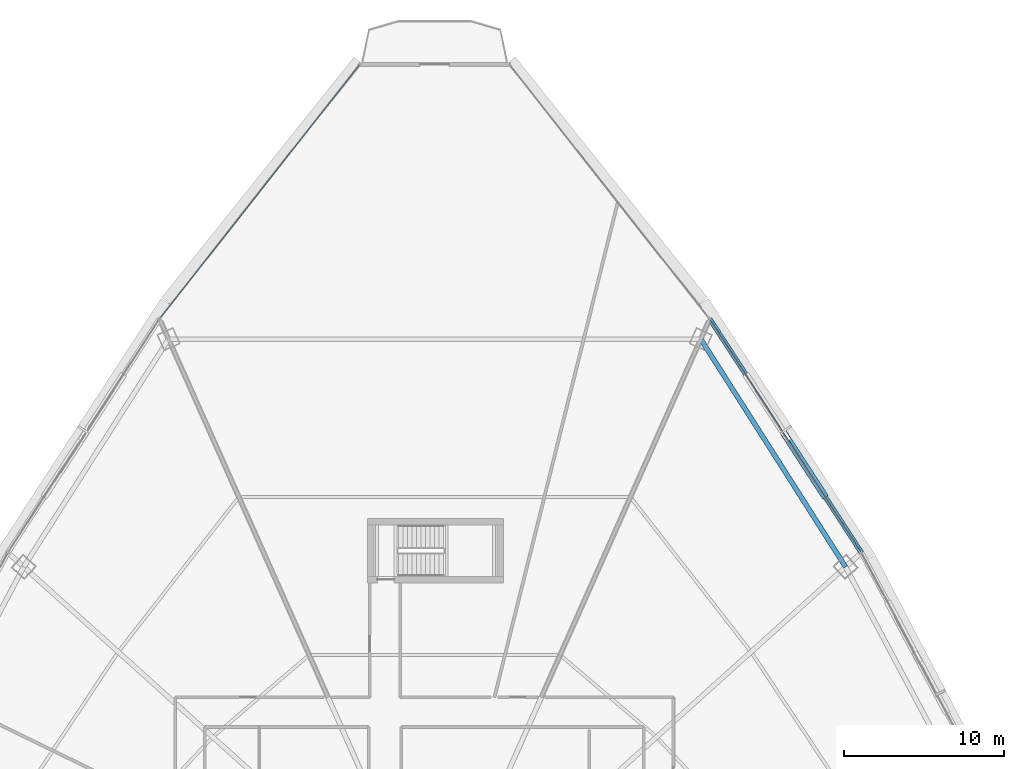
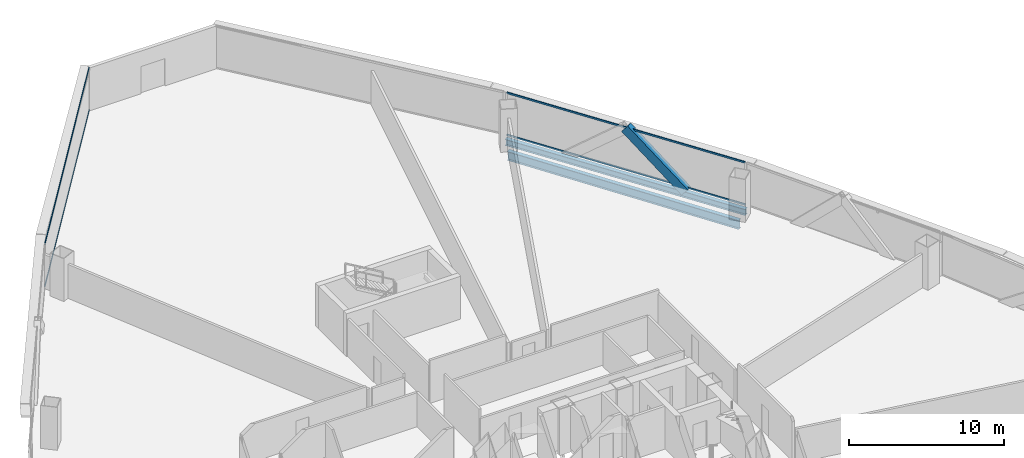
# One storey, part 25 of 37: 5 members, 2 beams, 2 elements without a shape of their own.
"""IFC4 building model written with IfcOpenShell, lengths in metres."""

from ifc_helpers import new_model, si_unit, direction, frame, origin, origin_2d, place, context, subcontext, project, spatial, hollow_rectangle, i_section, extrude, source, transform, mapped, material, layer, layer_set, material_profile, profile_set, type_object, element, aggregate, save


model = new_model("IFC4")

# Units and contexts
model_context = context("Model", 3, precision=1e-05, world=origin(), true_north=direction((0.0, 1.0)))
body_context = subcontext(model_context, "Body", "Model", "MODEL_VIEW")
ifc_project = project(units=[si_unit("LENGTHUNIT", "METRE"), si_unit("AREAUNIT", "SQUARE_METRE"), si_unit("VOLUMEUNIT", "CUBIC_METRE"), si_unit("PLANEANGLEUNIT", "RADIAN"), si_unit("MASSUNIT", "GRAM", prefix="KILO"), si_unit("THERMODYNAMICTEMPERATUREUNIT", "KELVIN"), si_unit("POWERUNIT", "WATT")], contexts=[model_context])

# Site, building, storey
site_placement = place(None, origin())
site = spatial("IfcSite", under=ifc_project, at=site_placement, CompositionType="ELEMENT")
building_placement = place(site_placement, origin())
building = spatial("IfcBuilding", under=site, at=building_placement, Name="Yunzhuo Pagoda Commons", CompositionType="ELEMENT")
storey_placement = place(building_placement, frame((0.0, 0.0, 52.179931640625)))
storey = spatial("IfcBuildingStorey", under=building, at=storey_placement, Name="L13", CompositionType="ELEMENT", Elevation=52.179931640625)

# Beams
ifc_material_1 = material(Name="Structural steel Q355B", Category="steel")
ifc_material_profile_1 = material_profile(ifc_material_1, i_section(OverallWidth=0.300048828125, OverallDepth=0.699951171875, WebThickness=0.012939453125, FlangeThickness=0.02392578125, at=origin_2d()), Name="Structural steel Q355B")
ifc_profile_set_1 = profile_set([ifc_material_profile_1], Name="Structural steel Q355B")
beam_type_1 = type_object("IfcBeamType", Name="B-RG1 Beam HN 700x300x13x24", PredefinedType="BEAM", material=ifc_profile_set_1)
shared_shape_1 = source(origin(), body_context, "Body", "SweptSolid", [
    extrude(i_section(OverallWidth=0.300048828125, OverallDepth=0.699951171875, WebThickness=0.012939453125, FlangeThickness=0.02392578125, at=origin_2d()), origin(), (0.0, 0.0, 1.0), 16.843994140625),
])
beam_1_placement = place(storey_placement, frame((73.648681640625, 56.79443359375, -0.60986328125), z_axis=(-0.536558458992, 0.843863152462, 0.0), x_axis=(-0.843863152462, -0.536558458992, 0.0)))
element("IfcBeam", 1, at=beam_1_placement, inside=storey, type_object=beam_type_1, Name="L13 column-ring beam 7", PredefinedType="BEAM", context=body_context, shape_type="MappedRepresentation", body=[
    mapped(shared_shape_1, transform((0.0, 0.0, 0.0), scale=1.0)),
])
ifc_material_profile_2 = material_profile(ifc_material_1, i_section(OverallWidth=0.300048828125, OverallDepth=0.488037109375, WebThickness=0.010986328125, FlangeThickness=0.01806640625, at=origin_2d()), Name="Structural steel Q355B")
ifc_profile_set_2 = profile_set([ifc_material_profile_2], Name="Structural steel Q355B")
beam_type_2 = type_object("IfcBeamType", Name="B-SP1 Beam HM 488x300x11x18", PredefinedType="BEAM", material=ifc_profile_set_2)
shared_shape_2 = source(origin(), body_context, "Body", "SweptSolid", [
    extrude(i_section(OverallWidth=0.300048828125, OverallDepth=0.488037109375, WebThickness=0.010986328125, FlangeThickness=0.01806640625, at=origin_2d()), origin(), (0.0, 0.0, 1.0), 17.38671875),
])
beam_2_placement = place(storey_placement, frame((74.63818359375, 57.68505859375, -0.50390625), z_axis=(-0.544473954906, 0.838777749126, 0.0), x_axis=(-0.838777749126, -0.544473954906, 0.0)))
element("IfcBeam", 2, at=beam_2_placement, inside=storey, type_object=beam_type_2, Name="L13 facade edge spandrel beam F2.3", PredefinedType="BEAM", context=body_context, shape_type="MappedRepresentation", body=[
    mapped(shared_shape_2, transform((0.0, 0.0, 0.0), scale=1.0)),
])

# Member
ifc_material_2 = material(Name="Structural steel Q420B", Category="steel")
ifc_material_profile_3 = material_profile(ifc_material_2, hollow_rectangle(XDim=0.419921875, YDim=0.719970703125, WallThickness=0.028076171875, at=origin_2d()), Name="Structural steel Q420B")
ifc_profile_set_3 = profile_set([ifc_material_profile_3], Name="Structural steel Q420B")
member_type_1 = type_object("IfcMemberType", Name="M-DL1 Brace BOX 720x420x28", PredefinedType="BRACE", material=ifc_profile_set_3)
shared_shape_3 = source(origin(), body_context, "Body", "SweptSolid", [
    extrude(hollow_rectangle(XDim=0.419921875, YDim=0.719970703125, WallThickness=0.028076171875, at=origin_2d()), origin(), (0.0, 0.0, 1.0), 5.6630859375),
])
member_1_placement = place(storey_placement, frame((72.271484375, 61.3310546875, -0.260009765625), z_axis=(-0.417916544349, 0.643774268286, 0.64101517412), x_axis=(-0.838763010276, -0.544496659855, 0.0)))
element("IfcMember", 3, at=member_1_placement, inside=storey, type_object=member_type_1, Name="L13 facade diamond brace F2.3L", PredefinedType="BRACE", context=body_context, shape_type="MappedRepresentation", body=[
    mapped(shared_shape_3, transform((0.0, 0.0, 0.0), scale=1.0)),
])

# Curtain wall, members
ifc_material_3 = material(Name="Anodized aluminium 6063-T6", Category="aluminium")
ifc_layer = layer(ifc_material_3, 0.1650390625)
ifc_layer_set = layer_set([ifc_layer], Name="Anodized aluminium 6063-T6")
curtain_wall_type = type_object("IfcCurtainWallType", Name="CW-LOW Low-Zone Ribbon Curtain Wall", PredefinedType="NOTDEFINED", material=ifc_layer_set)
curtain_wall_1_placement = place(storey_placement, origin())
curtain_wall_1 = element("IfcCurtainWall", 4, at=curtain_wall_1_placement, inside=storey, type_object=curtain_wall_type, Name="L13 curtain wall CW-L13-F2B4", PredefinedType="NOTDEFINED")
ifc_material_profile_4 = material_profile(ifc_material_3, hollow_rectangle(XDim=0.06005859375, YDim=0.139892578125, WallThickness=0.00341796875, at=origin_2d()), Name="Anodized aluminium 6063-T6")
ifc_profile_set_4 = profile_set([ifc_material_profile_4], Name="Anodized aluminium 6063-T6")
member_type_2 = type_object("IfcMemberType", Name="CW-LOW-T Transom RHS 140x60x3.5", PredefinedType="USERDEFINED", material=ifc_profile_set_4)
shared_shape_4 = source(origin(), body_context, "Body", "SweptSolid", [
    extrude(hollow_rectangle(XDim=0.06005859375, YDim=0.139892578125, WallThickness=0.00341796875, at=origin_2d()), origin(), (0.0, 0.0, 1.0), 17.256591796875),
])
member_2_placement = place(storey_placement, frame((74.602783203125, 57.739501953125, 0.030029296875), z_axis=(-0.544475548743, 0.83877671452, 0.0), x_axis=(-0.83877671452, -0.544475548743, 0.0)))
member_2 = element("IfcMember", 5, at=member_2_placement, type_object=member_type_2, Name="CW transom 1.1", ObjectType="TRANSOM", PredefinedType="USERDEFINED", context=body_context, shape_type="MappedRepresentation", body=[
    mapped(shared_shape_4, transform((0.0, 0.0, 0.0), scale=1.0)),
])
member_3_placement = place(storey_placement, frame((74.602783203125, 57.739501953125, 3.34033203125), z_axis=(-0.544475548743, 0.83877671452, 0.0), x_axis=(-0.83877671452, -0.544475548743, 0.0)))
member_3 = element("IfcMember", 6, at=member_3_placement, type_object=member_type_2, Name="CW transom 1.2", ObjectType="TRANSOM", PredefinedType="USERDEFINED", context=body_context, shape_type="MappedRepresentation", body=[
    mapped(shared_shape_4, transform((0.0, 0.0, 0.0), scale=1.0)),
])
aggregate(curtain_wall_1, [member_2, member_3])

curtain_wall_2_placement = place(storey_placement, origin())
curtain_wall_2 = element("IfcCurtainWall", 7, at=curtain_wall_2_placement, inside=storey, type_object=curtain_wall_type, Name="L13 curtain wall CW-L13-F3B1", PredefinedType="NOTDEFINED")
shared_shape_5 = source(origin(), body_context, "Body", "SweptSolid", [
    extrude(hollow_rectangle(XDim=0.06005859375, YDim=0.139892578125, WallThickness=0.00341796875, at=origin_2d()), origin(), (0.0, 0.0, 1.0), 20.00244140625),
])
member_4_placement = place(storey_placement, frame((43.28173828125, 88.099365234375, 0.030029296875), z_axis=(-0.618272093207, -0.785964133254, 0.0), x_axis=(0.785964133254, -0.618272093207, 0.0)))
member_4 = element("IfcMember", 8, at=member_4_placement, type_object=member_type_2, Name="CW transom 1.1", ObjectType="TRANSOM", PredefinedType="USERDEFINED", context=body_context, shape_type="MappedRepresentation", body=[
    mapped(shared_shape_5, transform((0.0, 0.0, 0.0), scale=1.0)),
])
member_5_placement = place(storey_placement, frame((43.28173828125, 88.099365234375, 3.34033203125), z_axis=(-0.618272093207, -0.785964133254, 0.0), x_axis=(0.785964133254, -0.618272093207, 0.0)))
member_5 = element("IfcMember", 9, at=member_5_placement, type_object=member_type_2, Name="CW transom 1.2", ObjectType="TRANSOM", PredefinedType="USERDEFINED", context=body_context, shape_type="MappedRepresentation", body=[
    mapped(shared_shape_5, transform((0.0, 0.0, 0.0), scale=1.0)),
])
aggregate(curtain_wall_2, [member_4, member_5])

save(model, "model.ifc")
